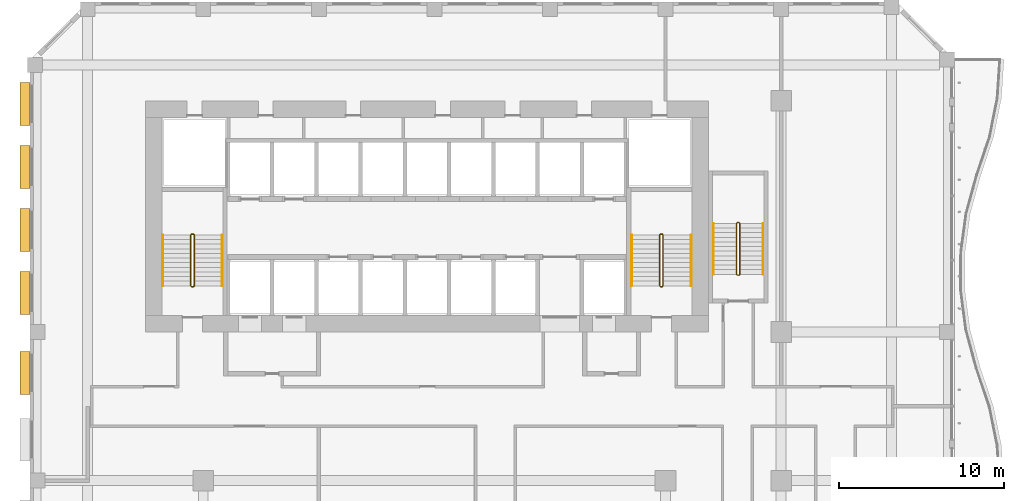
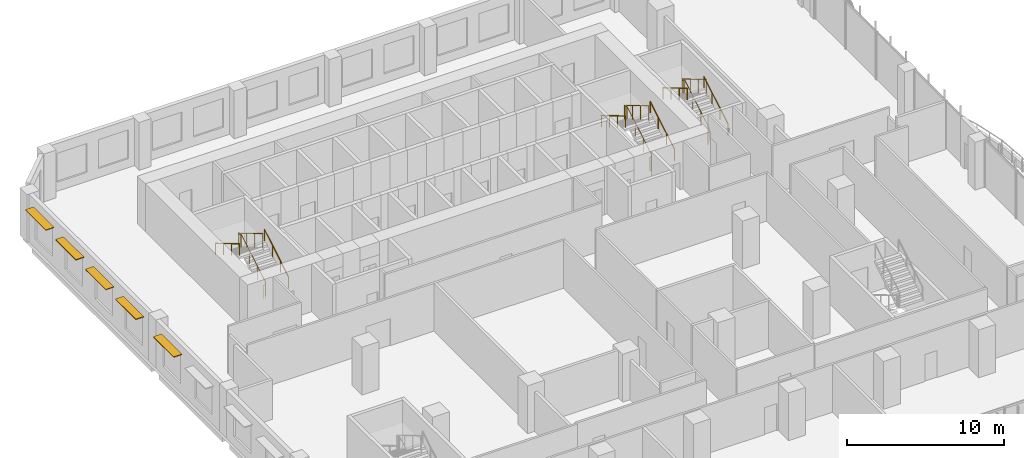
# One storey, part 25 of 26: 9 railings, 5 shading devices.
"""IFC4 building model written with IfcOpenShell, lengths in metres."""

from ifc_helpers import new_model, si_unit, direction, frame, origin, origin_2d, place, context, subcontext, project, spatial, rectangle, circle, extrude, source, transform, mapped, material, layer, layer_set, type_object, element, save


model = new_model("IFC4")

# Units and contexts
model_context = context("Model", 3, precision=1e-05, world=origin(), true_north=direction((0.0, 1.0)))
body_context = subcontext(model_context, "Body", "Model", "MODEL_VIEW")
ifc_project = project(units=[si_unit("LENGTHUNIT", "METRE"), si_unit("AREAUNIT", "SQUARE_METRE"), si_unit("VOLUMEUNIT", "CUBIC_METRE"), si_unit("PLANEANGLEUNIT", "RADIAN"), si_unit("MASSUNIT", "GRAM", prefix="KILO")], contexts=[model_context])

# Site, building, storey
site_placement = place(None, origin())
site = spatial("IfcSite", under=ifc_project, at=site_placement, CompositionType="ELEMENT")
building_placement = place(site_placement, origin())
building = spatial("IfcBuilding", under=site, at=building_placement, Name="Kilnfold Tower and Market Hall", CompositionType="ELEMENT")
storey_placement = place(building_placement, frame((0.0, 0.0, 83.199951171875)))
storey = spatial("IfcBuildingStorey", under=building, at=storey_placement, Name="L19", CompositionType="ELEMENT", Elevation=83.199951171875)

# Railings
ifc_material_1 = material(Name="Stainless steel 316", Category="steel")
railing_type_1 = type_object("IfcRailingType", Name="CORE STAIR GUARD 1100", PredefinedType="GUARDRAIL", material=ifc_material_1)
railing_1_placement = place(storey_placement, frame((-13.199951171875, 10.75, 0.0)))
element("IfcRailing", 1, at=railing_1_placement, inside=storey, type_object=railing_type_1, Name="L19 ST1 stair guard 1", PredefinedType="GUARDRAIL", context=body_context, shape_type="SweptSolid", body=[
    extrude(circle(Radius=0.02392578125, at=origin_2d()), frame((0.0, 0.0, 1.076171875), z_axis=(1.0, 0.0, 0.0), x_axis=(0.0, 1.0, 0.0)), (0.0, 0.0, 1.0), 0.099853515625),
    extrude(circle(Radius=0.02392578125, at=origin_2d()), frame((0.099853515625, 0.0, 1.076171875), z_axis=(0.27628659633, 0.27628659633, 0.920506074601), x_axis=(-0.707106781187, 0.707106781187, 0.0)), (0.0, 0.0, 1.0), 0.18115234375),
    extrude(circle(Radius=0.02392578125, at=origin_2d()), frame((0.14990234375, 0.050048828125, 1.24267578125), z_axis=(0.0, 0.859290745958, 0.51148745235), x_axis=(-1.0, 0.0, 0.0)), (0.0, 0.0, 1.0), 3.584228515625),
    extrude(circle(Radius=0.02392578125, at=origin_2d()), frame((0.14990234375, 3.1298828125, 3.076171875), z_axis=(-0.707106781187, 0.707106781187, 0.0), x_axis=(-0.707106781187, -0.707106781187, 0.0)), (0.0, 0.0, 1.0), 0.07080078125),
    extrude(circle(Radius=0.02392578125, at=origin_2d()), frame((0.099853515625, 3.179931640625, 3.076171875), z_axis=(-1.0, 0.0, 0.0), x_axis=(0.0, -1.0, 0.0)), (0.0, 0.0, 1.0), 0.099853515625),
    extrude(circle(Radius=0.02392578125, at=origin_2d()), frame((0.0, 3.179931640625, 3.076171875), z_axis=(-0.27628659633, -0.27628659633, 0.920506074601), x_axis=(0.707106781187, -0.707106781187, 0.0)), (0.0, 0.0, 1.0), 0.18115234375),
    extrude(circle(Radius=0.02392578125, at=origin_2d()), frame((-0.050048828125, 3.1298828125, 3.24267578125), z_axis=(0.0, -0.859290745958, 0.51148745235), x_axis=(1.0, 0.0, 0.0)), (0.0, 0.0, 1.0), 3.584228515625),
    extrude(circle(Radius=0.02099609375, at=origin_2d()), origin(), (0.0, 0.0, 1.0), 1.052001953125),
    extrude(circle(Radius=0.02099609375, at=origin_2d()), frame((0.099853515625, 0.0, 0.0)), (0.0, 0.0, 1.0), 1.052001953125),
    extrude(circle(Radius=0.02099609375, at=origin_2d()), frame((0.14990234375, 0.050048828125, 0.166748046875)), (0.0, 0.0, 1.0), 1.052001953125),
    extrude(circle(Radius=0.02099609375, at=origin_2d()), frame((0.14990234375, 1.07666015625, 0.77783203125)), (0.0, 0.0, 1.0), 1.052001953125),
    extrude(circle(Radius=0.02099609375, at=origin_2d()), frame((0.14990234375, 2.103271484375, 1.388916015625)), (0.0, 0.0, 1.0), 1.052001953125),
    extrude(circle(Radius=0.02099609375, at=origin_2d()), frame((0.14990234375, 3.1298828125, 2.0)), (0.0, 0.0, 1.0), 1.052001953125),
    extrude(circle(Radius=0.02099609375, at=origin_2d()), frame((0.099853515625, 3.179931640625, 2.0)), (0.0, 0.0, 1.0), 1.052001953125),
    extrude(circle(Radius=0.02099609375, at=origin_2d()), frame((0.0, 3.179931640625, 2.0)), (0.0, 0.0, 1.0), 1.052001953125),
    extrude(circle(Radius=0.02099609375, at=origin_2d()), frame((-0.050048828125, 3.1298828125, 2.166748046875)), (0.0, 0.0, 1.0), 1.052001953125),
    extrude(circle(Radius=0.02099609375, at=origin_2d()), frame((-0.050048828125, 2.103271484375, 2.77783203125)), (0.0, 0.0, 1.0), 1.052001953125),
    extrude(circle(Radius=0.02099609375, at=origin_2d()), frame((-0.050048828125, 1.07666015625, 3.388916015625)), (0.0, 0.0, 1.0), 1.052001953125),
    extrude(circle(Radius=0.02099609375, at=origin_2d()), frame((-0.050048828125, 0.050048828125, 4.0)), (0.0, 0.0, 1.0), 1.052001953125),
])
railing_2_placement = place(storey_placement, frame((15.199951171875, 10.75, 0.0)))
element("IfcRailing", 2, at=railing_2_placement, inside=storey, type_object=railing_type_1, Name="L19 ST2 stair guard 1", PredefinedType="GUARDRAIL", context=body_context, shape_type="SweptSolid", body=[
    extrude(circle(Radius=0.02392578125, at=origin_2d()), frame((0.0, 0.0, 1.076171875), z_axis=(1.0, 0.0, 0.0), x_axis=(0.0, 1.0, 0.0)), (0.0, 0.0, 1.0), 0.10009765625),
    extrude(circle(Radius=0.02392578125, at=origin_2d()), frame((0.10009765625, 0.0, 1.076171875), z_axis=(0.27628659633, 0.27628659633, 0.920506074601), x_axis=(-0.707106781187, 0.707106781187, 0.0)), (0.0, 0.0, 1.0), 0.18115234375),
    extrude(circle(Radius=0.02392578125, at=origin_2d()), frame((0.150146484375, 0.050048828125, 1.24267578125), z_axis=(0.0, 0.859290745958, 0.51148745235), x_axis=(-1.0, 0.0, 0.0)), (0.0, 0.0, 1.0), 3.584228515625),
    extrude(circle(Radius=0.02392578125, at=origin_2d()), frame((0.150146484375, 3.1298828125, 3.076171875), z_axis=(-0.707106781187, 0.707106781187, 0.0), x_axis=(-0.707106781187, -0.707106781187, 0.0)), (0.0, 0.0, 1.0), 0.07080078125),
    extrude(circle(Radius=0.02392578125, at=origin_2d()), frame((0.10009765625, 3.179931640625, 3.076171875), z_axis=(-1.0, 0.0, 0.0), x_axis=(0.0, -1.0, 0.0)), (0.0, 0.0, 1.0), 0.10009765625),
    extrude(circle(Radius=0.02392578125, at=origin_2d()), frame((0.0, 3.179931640625, 3.076171875), z_axis=(-0.27628659633, -0.27628659633, 0.920506074601), x_axis=(0.707106781187, -0.707106781187, 0.0)), (0.0, 0.0, 1.0), 0.18115234375),
    extrude(circle(Radius=0.02392578125, at=origin_2d()), frame((-0.050048828125, 3.1298828125, 3.24267578125), z_axis=(0.0, -0.859290745958, 0.51148745235), x_axis=(1.0, 0.0, 0.0)), (0.0, 0.0, 1.0), 3.584228515625),
    extrude(circle(Radius=0.02099609375, at=origin_2d()), origin(), (0.0, 0.0, 1.0), 1.052001953125),
    extrude(circle(Radius=0.02099609375, at=origin_2d()), frame((0.10009765625, 0.0, 0.0)), (0.0, 0.0, 1.0), 1.052001953125),
    extrude(circle(Radius=0.02099609375, at=origin_2d()), frame((0.150146484375, 0.050048828125, 0.166748046875)), (0.0, 0.0, 1.0), 1.052001953125),
    extrude(circle(Radius=0.02099609375, at=origin_2d()), frame((0.150146484375, 1.07666015625, 0.77783203125)), (0.0, 0.0, 1.0), 1.052001953125),
    extrude(circle(Radius=0.02099609375, at=origin_2d()), frame((0.150146484375, 2.103271484375, 1.388916015625)), (0.0, 0.0, 1.0), 1.052001953125),
    extrude(circle(Radius=0.02099609375, at=origin_2d()), frame((0.150146484375, 3.1298828125, 2.0)), (0.0, 0.0, 1.0), 1.052001953125),
    extrude(circle(Radius=0.02099609375, at=origin_2d()), frame((0.10009765625, 3.179931640625, 2.0)), (0.0, 0.0, 1.0), 1.052001953125),
    extrude(circle(Radius=0.02099609375, at=origin_2d()), frame((0.0, 3.179931640625, 2.0)), (0.0, 0.0, 1.0), 1.052001953125),
    extrude(circle(Radius=0.02099609375, at=origin_2d()), frame((-0.050048828125, 3.1298828125, 2.166748046875)), (0.0, 0.0, 1.0), 1.052001953125),
    extrude(circle(Radius=0.02099609375, at=origin_2d()), frame((-0.050048828125, 2.103271484375, 2.77783203125)), (0.0, 0.0, 1.0), 1.052001953125),
    extrude(circle(Radius=0.02099609375, at=origin_2d()), frame((-0.050048828125, 1.07666015625, 3.388916015625)), (0.0, 0.0, 1.0), 1.052001953125),
    extrude(circle(Radius=0.02099609375, at=origin_2d()), frame((-0.050048828125, 0.050048828125, 4.0)), (0.0, 0.0, 1.0), 1.052001953125),
])
railing_3_placement = place(storey_placement, frame((19.85009765625, 11.449951171875, 0.0)))
element("IfcRailing", 3, at=railing_3_placement, inside=storey, type_object=railing_type_1, Name="L19 ST5 stair guard 1", PredefinedType="GUARDRAIL", context=body_context, shape_type="SweptSolid", body=[
    extrude(circle(Radius=0.02392578125, at=origin_2d()), frame((0.0, 0.0, 1.076171875), z_axis=(1.0, 0.0, 0.0), x_axis=(0.0, 1.0, 0.0)), (0.0, 0.0, 1.0), 0.099853515625),
    extrude(circle(Radius=0.02392578125, at=origin_2d()), frame((0.099853515625, 0.0, 1.076171875), z_axis=(0.27628659633, 0.27628659633, 0.920506074601), x_axis=(-0.707106781187, 0.707106781187, 0.0)), (0.0, 0.0, 1.0), 0.18115234375),
    extrude(circle(Radius=0.02392578125, at=origin_2d()), frame((0.14990234375, 0.050048828125, 1.24267578125), z_axis=(0.0, 0.859308565015, 0.511457515432), x_axis=(-1.0, 0.0, 0.0)), (0.0, 0.0, 1.0), 3.58447265625),
    extrude(circle(Radius=0.02392578125, at=origin_2d()), frame((0.14990234375, 3.130126953125, 3.076171875), z_axis=(-0.708833529934, 0.705375805398, 0.0), x_axis=(-0.705375805398, -0.708833529934, 0.0)), (0.0, 0.0, 1.0), 0.070556640625),
    extrude(circle(Radius=0.02392578125, at=origin_2d()), frame((0.099853515625, 3.179931640625, 3.076171875), z_axis=(-1.0, 0.0, 0.0), x_axis=(0.0, -1.0, 0.0)), (0.0, 0.0, 1.0), 0.099853515625),
    extrude(circle(Radius=0.02392578125, at=origin_2d()), frame((0.0, 3.179931640625, 3.076171875), z_axis=(-0.276389281352, -0.275041040955, 0.920848191041), x_axis=(0.705375805398, -0.708833529934, 0.0)), (0.0, 0.0, 1.0), 0.18115234375),
    extrude(circle(Radius=0.02392578125, at=origin_2d()), frame((-0.050048828125, 3.130126953125, 3.24267578125), z_axis=(0.0, -0.859308565015, 0.511457515432), x_axis=(1.0, 0.0, 0.0)), (0.0, 0.0, 1.0), 3.58447265625),
    extrude(circle(Radius=0.02099609375, at=origin_2d()), origin(), (0.0, 0.0, 1.0), 1.052001953125),
    extrude(circle(Radius=0.02099609375, at=origin_2d()), frame((0.099853515625, 0.0, 0.0)), (0.0, 0.0, 1.0), 1.052001953125),
    extrude(circle(Radius=0.02099609375, at=origin_2d()), frame((0.14990234375, 0.050048828125, 0.166748046875)), (0.0, 0.0, 1.0), 1.052001953125),
    extrude(circle(Radius=0.02099609375, at=origin_2d()), frame((0.14990234375, 1.07666015625, 0.77783203125)), (0.0, 0.0, 1.0), 1.052001953125),
    extrude(circle(Radius=0.02099609375, at=origin_2d()), frame((0.14990234375, 2.103515625, 1.388916015625)), (0.0, 0.0, 1.0), 1.052001953125),
    extrude(circle(Radius=0.02099609375, at=origin_2d()), frame((0.14990234375, 3.130126953125, 2.0)), (0.0, 0.0, 1.0), 1.052001953125),
    extrude(circle(Radius=0.02099609375, at=origin_2d()), frame((0.099853515625, 3.179931640625, 2.0)), (0.0, 0.0, 1.0), 1.052001953125),
    extrude(circle(Radius=0.02099609375, at=origin_2d()), frame((0.0, 3.179931640625, 2.0)), (0.0, 0.0, 1.0), 1.052001953125),
    extrude(circle(Radius=0.02099609375, at=origin_2d()), frame((-0.050048828125, 3.130126953125, 2.166748046875)), (0.0, 0.0, 1.0), 1.052001953125),
    extrude(circle(Radius=0.02099609375, at=origin_2d()), frame((-0.050048828125, 2.103515625, 2.77783203125)), (0.0, 0.0, 1.0), 1.052001953125),
    extrude(circle(Radius=0.02099609375, at=origin_2d()), frame((-0.050048828125, 1.07666015625, 3.388916015625)), (0.0, 0.0, 1.0), 1.052001953125),
    extrude(circle(Radius=0.02099609375, at=origin_2d()), frame((-0.050048828125, 0.050048828125, 4.0)), (0.0, 0.0, 1.0), 1.052001953125),
])
ifc_material_2 = material(Name="Stainless steel 316", Category="steel")
railing_type_2 = type_object("IfcRailingType", Name="CORE STAIR HANDRAIL 900", PredefinedType="HANDRAIL", material=ifc_material_2)
railing_4_placement = place(storey_placement, frame((-11.35009765625, 10.800048828125, 0.166748046875)))
element("IfcRailing", 4, at=railing_4_placement, inside=storey, type_object=railing_type_2, Name="L19 ST1 stair handrail 1", PredefinedType="HANDRAIL", context=body_context, shape_type="SweptSolid", body=[
    extrude(circle(Radius=0.02392578125, at=origin_2d()), frame((0.0, 0.0, 0.8759765625), z_axis=(0.0, 0.859290745958, 0.51148745235), x_axis=(-1.0, 0.0, 0.0)), (0.0, 0.0, 1.0), 3.584228515625),
    extrude(circle(Radius=0.02099609375, at=origin_2d()), origin(), (0.0, 0.0, 1.0), 0.851806640625),
    extrude(circle(Radius=0.02099609375, at=origin_2d()), frame((0.0, 1.026611328125, 0.611083984375)), (0.0, 0.0, 1.0), 0.851806640625),
    extrude(circle(Radius=0.02099609375, at=origin_2d()), frame((0.0, 2.05322265625, 1.22216796875)), (0.0, 0.0, 1.0), 0.851806640625),
    extrude(circle(Radius=0.02099609375, at=origin_2d()), frame((0.0, 3.079833984375, 1.833251953125)), (0.0, 0.0, 1.0), 0.851806640625),
])
railing_5_placement = place(storey_placement, frame((-14.949951171875, 13.8798828125, 2.166748046875)))
element("IfcRailing", 5, at=railing_5_placement, inside=storey, type_object=railing_type_2, Name="L19 ST1 stair handrail 2", PredefinedType="HANDRAIL", context=body_context, shape_type="SweptSolid", body=[
    extrude(circle(Radius=0.02392578125, at=origin_2d()), frame((0.0, 0.0, 0.8759765625), z_axis=(0.0, -0.859290745958, 0.51148745235), x_axis=(1.0, 0.0, 0.0)), (0.0, 0.0, 1.0), 3.584228515625),
    extrude(circle(Radius=0.02099609375, at=origin_2d()), origin(), (0.0, 0.0, 1.0), 0.851806640625),
    extrude(circle(Radius=0.02099609375, at=origin_2d()), frame((0.0, -1.026611328125, 0.611083984375)), (0.0, 0.0, 1.0), 0.851806640625),
    extrude(circle(Radius=0.02099609375, at=origin_2d()), frame((0.0, -2.05322265625, 1.22216796875)), (0.0, 0.0, 1.0), 0.851806640625),
    extrude(circle(Radius=0.02099609375, at=origin_2d()), frame((0.0, -3.079833984375, 1.833251953125)), (0.0, 0.0, 1.0), 0.851806640625),
])
railing_6_placement = place(storey_placement, frame((17.050048828125, 10.800048828125, 0.166748046875)))
element("IfcRailing", 6, at=railing_6_placement, inside=storey, type_object=railing_type_2, Name="L19 ST2 stair handrail 1", PredefinedType="HANDRAIL", context=body_context, shape_type="SweptSolid", body=[
    extrude(circle(Radius=0.02392578125, at=origin_2d()), frame((0.0, 0.0, 0.8759765625), z_axis=(0.0, 0.859290745958, 0.51148745235), x_axis=(-1.0, 0.0, 0.0)), (0.0, 0.0, 1.0), 3.584228515625),
    extrude(circle(Radius=0.02099609375, at=origin_2d()), origin(), (0.0, 0.0, 1.0), 0.851806640625),
    extrude(circle(Radius=0.02099609375, at=origin_2d()), frame((0.0, 1.026611328125, 0.611083984375)), (0.0, 0.0, 1.0), 0.851806640625),
    extrude(circle(Radius=0.02099609375, at=origin_2d()), frame((0.0, 2.05322265625, 1.22216796875)), (0.0, 0.0, 1.0), 0.851806640625),
    extrude(circle(Radius=0.02099609375, at=origin_2d()), frame((0.0, 3.079833984375, 1.833251953125)), (0.0, 0.0, 1.0), 0.851806640625),
])
railing_7_placement = place(storey_placement, frame((13.449951171875, 13.8798828125, 2.166748046875)))
element("IfcRailing", 7, at=railing_7_placement, inside=storey, type_object=railing_type_2, Name="L19 ST2 stair handrail 2", PredefinedType="HANDRAIL", context=body_context, shape_type="SweptSolid", body=[
    extrude(circle(Radius=0.02392578125, at=origin_2d()), frame((0.0, 0.0, 0.8759765625), z_axis=(0.0, -0.859290745958, 0.51148745235), x_axis=(1.0, 0.0, 0.0)), (0.0, 0.0, 1.0), 3.584228515625),
    extrude(circle(Radius=0.02099609375, at=origin_2d()), origin(), (0.0, 0.0, 1.0), 0.851806640625),
    extrude(circle(Radius=0.02099609375, at=origin_2d()), frame((0.0, -1.026611328125, 0.611083984375)), (0.0, 0.0, 1.0), 0.851806640625),
    extrude(circle(Radius=0.02099609375, at=origin_2d()), frame((0.0, -2.05322265625, 1.22216796875)), (0.0, 0.0, 1.0), 0.851806640625),
    extrude(circle(Radius=0.02099609375, at=origin_2d()), frame((0.0, -3.079833984375, 1.833251953125)), (0.0, 0.0, 1.0), 0.851806640625),
])
railing_8_placement = place(storey_placement, frame((21.39990234375, 11.5, 0.166748046875)))
element("IfcRailing", 8, at=railing_8_placement, inside=storey, type_object=railing_type_2, Name="L19 ST5 stair handrail 1", PredefinedType="HANDRAIL", context=body_context, shape_type="SweptSolid", body=[
    extrude(circle(Radius=0.02392578125, at=origin_2d()), frame((0.0, 0.0, 0.8759765625), z_axis=(0.0, 0.859308565015, 0.511457515432), x_axis=(-1.0, 0.0, 0.0)), (0.0, 0.0, 1.0), 3.58447265625),
    extrude(circle(Radius=0.02099609375, at=origin_2d()), origin(), (0.0, 0.0, 1.0), 0.851806640625),
    extrude(circle(Radius=0.02099609375, at=origin_2d()), frame((0.0, 1.026611328125, 0.611083984375)), (0.0, 0.0, 1.0), 0.851806640625),
    extrude(circle(Radius=0.02099609375, at=origin_2d()), frame((0.0, 2.053466796875, 1.22216796875)), (0.0, 0.0, 1.0), 0.851806640625),
    extrude(circle(Radius=0.02099609375, at=origin_2d()), frame((0.0, 3.080078125, 1.833251953125)), (0.0, 0.0, 1.0), 0.851806640625),
])
railing_9_placement = place(storey_placement, frame((18.39990234375, 14.580078125, 2.166748046875)))
element("IfcRailing", 9, at=railing_9_placement, inside=storey, type_object=railing_type_2, Name="L19 ST5 stair handrail 2", PredefinedType="HANDRAIL", context=body_context, shape_type="SweptSolid", body=[
    extrude(circle(Radius=0.02392578125, at=origin_2d()), frame((0.0, 0.0, 0.8759765625), z_axis=(0.0, -0.859308565015, 0.511457515432), x_axis=(1.0, 0.0, 0.0)), (0.0, 0.0, 1.0), 3.58447265625),
    extrude(circle(Radius=0.02099609375, at=origin_2d()), origin(), (0.0, 0.0, 1.0), 0.851806640625),
    extrude(circle(Radius=0.02099609375, at=origin_2d()), frame((0.0, -1.026611328125, 0.611083984375)), (0.0, 0.0, 1.0), 0.851806640625),
    extrude(circle(Radius=0.02099609375, at=origin_2d()), frame((0.0, -2.053466796875, 1.22216796875)), (0.0, 0.0, 1.0), 0.851806640625),
    extrude(circle(Radius=0.02099609375, at=origin_2d()), frame((0.0, -3.080078125, 1.833251953125)), (0.0, 0.0, 1.0), 0.851806640625),
])

# Shading devices
ifc_material_3 = material(Name="Terracotta", Category="masonry")
ifc_layer = layer(ifc_material_3, 0.06005859375)
ifc_layer_set = layer_set([ifc_layer], Name="Terracotta")
shading_device_type = type_object("IfcShadingDeviceType", Name="SUNSHADE BLADE 600", PredefinedType="USERDEFINED", material=ifc_layer_set)
shared_shape = source(origin(), body_context, "Body", "SweptSolid", [
    extrude(rectangle(XDim=2.60009765625, YDim=0.60009765625, at=origin_2d()), origin(), (0.0, 0.0, 1.0), 0.06005859375),
])
for number, where, z_axis, x_axis, name in (
    (10, (-23.300048828125, 21.821533203125, 3.030029296875), (0.0, 0.0, 1.0), (0.0, -1.0, 0.0), "Sunshade L19 W"),
    (11, (-23.300048828125, 18.001220703125, 3.030029296875), (0.0, 0.0, 1.0), (0.0, -1.0, 0.0), "Sunshade L19 W"),
    (12, (-23.300048828125, 14.1806640625, 3.030029296875), (0.0, 0.0, 1.0), (0.0, -1.0, 0.0), "Sunshade L19 W"),
    (13, (-23.300048828125, 10.3603515625, 3.030029296875), (0.0, 0.0, 1.0), (0.0, -1.0, 0.0), "Sunshade L19 W"),
    (14, (-23.300048828125, 5.52490234375, 3.030029296875), (0.0, 0.0, 1.0), (0.0, -1.0, 0.0), "Sunshade L19 W"),
):
    element("IfcShadingDevice", number, at=place(storey_placement, frame(where, z_axis=z_axis, x_axis=x_axis)), inside=storey, type_object=shading_device_type, Name=name, ObjectType="SUNSHADE", PredefinedType="USERDEFINED", context=body_context, shape_type="MappedRepresentation", body=[
        mapped(shared_shape, transform((0.0, 0.0, 0.0))),
    ])

save(model, "model.ifc")
